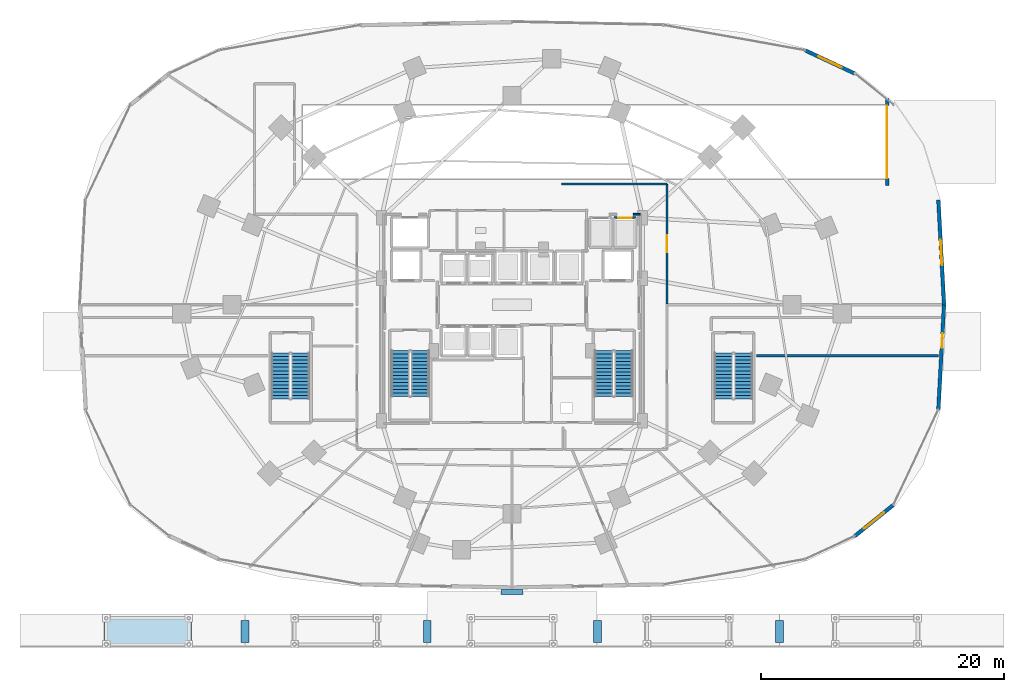
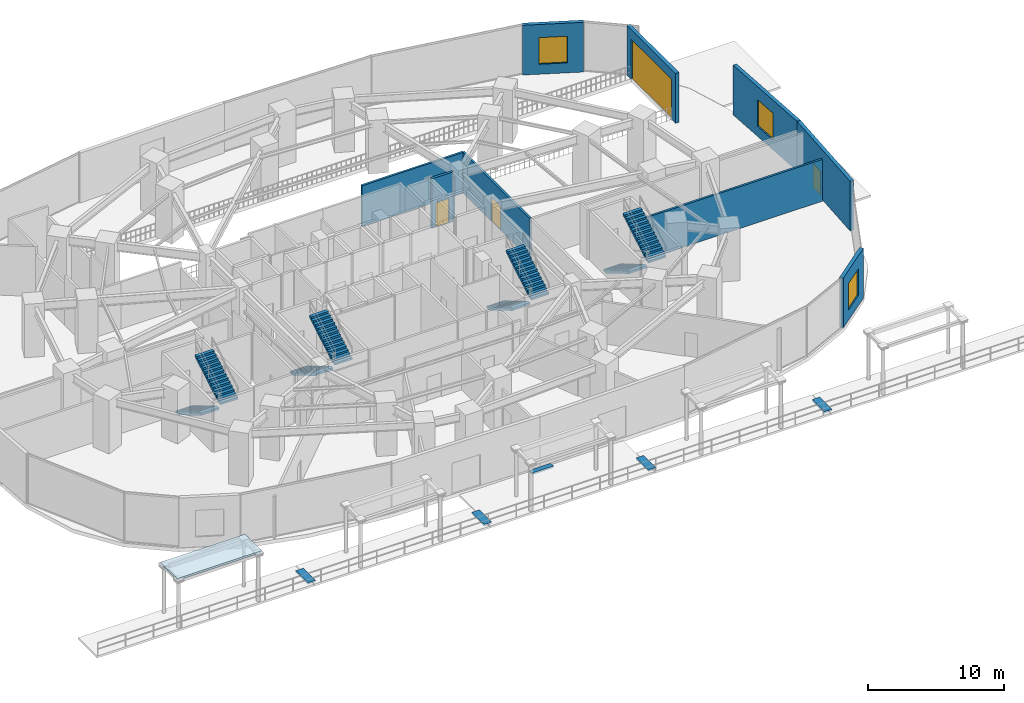
# One storey, part 30 of 36: 10 walls, 8 stair flights, 5 ramp flights, 4 doors, 3 windows, 1 roof, 7 openings, 9 elements without a shape of their own.
"""IFC4 building model written with IfcOpenShell, lengths in metres."""

from ifc_helpers import new_model, si_unit, direction, frame, frame_2d, origin, place, context, subcontext, project, spatial, polyline, rectangle, outline, extrude, material, layer, layer_set, type_object, element, fill, aggregate, save


model = new_model("IFC4")

# Units and contexts
model_context = context("Model", 3, precision=1e-05, world=origin(), true_north=direction((0.0, 1.0)))
body_context = subcontext(model_context, "Body", "Model", "MODEL_VIEW")
ifc_project = project(units=[si_unit("LENGTHUNIT", "METRE"), si_unit("AREAUNIT", "SQUARE_METRE"), si_unit("VOLUMEUNIT", "CUBIC_METRE"), si_unit("PLANEANGLEUNIT", "RADIAN"), si_unit("MASSUNIT", "GRAM", prefix="KILO")], contexts=[model_context])

# Site, building, storey
site_placement = place(None, origin())
site = spatial("IfcSite", under=ifc_project, at=site_placement, CompositionType="ELEMENT")
building_placement = place(site_placement, origin())
building = spatial("IfcBuilding", under=site, at=building_placement, Name="Vorneva Point Tower", CompositionType="ELEMENT")
storey_placement = place(building_placement, origin())
storey = spatial("IfcBuildingStorey", under=building, at=storey_placement, Name="L00", CompositionType="ELEMENT", Elevation=0.0)

# Wall, opening, door
ifc_material_1 = material(Name="Precast concrete B50 (C40/50)", Category="concrete")
ifc_layer_1 = layer(ifc_material_1, 0.300048828125)
ifc_layer_set_1 = layer_set([ifc_layer_1], Name="Precast concrete B50 (C40/50)")
wall_type_1 = type_object("IfcWallType", Name="WL-EXT-300", PredefinedType="STANDARD", material=ifc_layer_set_1)
wall_1_placement = place(storey_placement, frame((68.8798828125, 35.800048828125, 0.0), z_axis=(0.0, 0.0, 1.0), x_axis=(0.0, 1.0, 0.0)))
wall_1 = element("IfcWall", 1, at=wall_1_placement, inside=storey, type_object=wall_type_1, Name="L00 Car Park East Portal Facade Wall", PredefinedType="STANDARD", context=body_context, shape_type="SweptSolid", body=[
    extrude(rectangle(XDim=7.199951171875, YDim=0.300048828125, at=frame_2d((3.60009765625, 0.0))), origin(), (0.0, 0.0, 1.0), 4.47998046875),
])
opening_1_placement = place(wall_1_placement, frame((0.60009765625, 0.0, 0.0)))
opening_1 = element("IfcOpeningElement", 2, at=opening_1_placement, cuts=wall_1, Name="Opening VG-01", PredefinedType="OPENING", context=body_context, shape_type="SweptSolid", body=[
    extrude(rectangle(XDim=6.0, YDim=3.60009765625, at=frame_2d((3.0, 1.800048828125))), frame((0.0, 0.1650390625, 0.0), z_axis=(0.0, -1.0, 0.0), x_axis=(1.0, 0.0, 0.0)), (0.0, 0.0, 1.0), 0.329833984375),
])
ifc_material_2 = material(Name="Galvanised steel S355", Category="steel")
door_type_1 = type_object("IfcDoorType", Name="VG-01", OperationType="ROLLINGUP", PredefinedType="GATE", material=ifc_material_2)
door_1_placement = place(opening_1_placement, origin())
door_1 = element("IfcDoor", 3, at=door_1_placement, inside=storey, type_object=door_type_1, Name="Car Park Entrance Roller Shutter Gate VG-01", OperationType="ROLLINGUP", OverallHeight=3.60009765625, OverallWidth=6.0, PredefinedType="GATE", context=body_context, shape_type="SweptSolid", body=[
    extrude(rectangle(XDim=6.0, YDim=3.60009765625, at=frame_2d((3.0, 1.800048828125))), frame((0.0, 0.02490234375, 0.0), z_axis=(0.0, -1.0, 0.0), x_axis=(1.0, 0.0, 0.0)), (0.0, 0.0, 1.0), 0.050048828125),
])
fill(opening_1, door_1)

# Wall, opening, window
wall_2_placement = place(storey_placement, frame((73.565673828125, 26.0, 0.0), z_axis=(0.0, 0.0, 1.0), x_axis=(-0.054179266439, 0.998531224894, 0.0)))
wall_2 = element("IfcWall", 4, at=wall_2_placement, inside=storey, type_object=wall_type_1, Name="L00 Waterfront Facade Wall 01", PredefinedType="STANDARD", context=body_context, shape_type="SweptSolid", body=[
    extrude(rectangle(XDim=8.642822265625, YDim=0.300048828125, at=frame_2d((4.3212890625, 0.0))), origin(), (0.0, 0.0, 1.0), 4.47998046875),
])
opening_2_placement = place(wall_2_placement, frame((3.271484375, 0.0, 0.89990234375)))
opening_2 = element("IfcOpeningElement", 5, at=opening_2_placement, cuts=wall_2, Name="Opening W-05", PredefinedType="OPENING", context=body_context, shape_type="SweptSolid", body=[
    extrude(rectangle(XDim=2.10009765625, YDim=2.39990234375, at=frame_2d((1.050048828125, 1.199951171875))), frame((0.0, 0.1650390625, 0.0), z_axis=(0.0, -1.0, 0.0), x_axis=(1.0, 0.0, 0.0)), (0.0, 0.0, 1.0), 0.329833984375),
])
ifc_material_3 = material(Name="Double low-e laminated glass IGU", Category="glass")
window_type = type_object("IfcWindowType", Name="WN-POD-2100", PartitioningType="SINGLE_PANEL", PredefinedType="WINDOW", material=ifc_material_3)
window_1_placement = place(opening_2_placement, origin())
window_1 = element("IfcWindow", 6, at=window_1_placement, inside=storey, type_object=window_type, Name="L00 Waterfront Podium Window 01", OverallHeight=2.39990234375, OverallWidth=2.10009765625, PartitioningType="SINGLE_PANEL", PredefinedType="WINDOW", context=body_context, shape_type="SweptSolid", body=[
    extrude(rectangle(XDim=2.10009765625, YDim=2.39990234375, at=frame_2d((1.050048828125, 1.199951171875))), frame((0.0, 0.030029296875, 0.0), z_axis=(0.0, -1.0, 0.0), x_axis=(1.0, 0.0, 0.0)), (0.0, 0.0, 1.0), 0.06005859375),
])
fill(opening_2, window_1)

wall_3_placement = place(storey_placement, frame((66.2158203125, 45.035888671875, 0.0), z_axis=(0.0, 0.0, 1.0), x_axis=(-0.90617069541, 0.422912131275, 0.0)))
wall_3 = element("IfcWall", 7, at=wall_3_placement, inside=storey, type_object=wall_type_1, Name="L00 Waterfront Facade Wall 05", PredefinedType="STANDARD", context=body_context, shape_type="SweptSolid", body=[
    extrude(rectangle(XDim=4.510986328125, YDim=0.300048828125, at=frame_2d((2.25537109375, 0.0))), origin(), (0.0, 0.0, 1.0), 4.47998046875),
])
opening_3_placement = place(wall_3_placement, frame((1.205322265625, 0.0, 0.89990234375)))
opening_3 = element("IfcOpeningElement", 8, at=opening_3_placement, cuts=wall_3, Name="Opening W-05", PredefinedType="OPENING", context=body_context, shape_type="SweptSolid", body=[
    extrude(rectangle(XDim=2.10009765625, YDim=2.39990234375, at=frame_2d((1.050048828125, 1.199951171875))), frame((0.0, 0.1650390625, 0.0), z_axis=(0.0, -1.0, 0.0), x_axis=(1.0, 0.0, 0.0)), (0.0, 0.0, 1.0), 0.329833984375),
])
window_2_placement = place(opening_3_placement, origin())
window_2 = element("IfcWindow", 9, at=window_2_placement, inside=storey, type_object=window_type, Name="L00 Waterfront Podium Window 05", OverallHeight=2.39990234375, OverallWidth=2.10009765625, PartitioningType="SINGLE_PANEL", PredefinedType="WINDOW", context=body_context, shape_type="SweptSolid", body=[
    extrude(rectangle(XDim=2.10009765625, YDim=2.39990234375, at=frame_2d((1.050048828125, 1.199951171875))), frame((0.0, 0.030029296875, 0.0), z_axis=(0.0, -1.0, 0.0), x_axis=(1.0, 0.0, 0.0)), (0.0, 0.0, 1.0), 0.06005859375),
])
fill(opening_3, window_2)

wall_4_placement = place(storey_placement, frame((66.2158203125, 6.964111328125, 0.0), z_axis=(0.0, 0.0, 1.0), x_axis=(0.778389533764, 0.627781597155, 0.0)))
wall_4 = element("IfcWall", 10, at=wall_4_placement, inside=storey, type_object=wall_type_1, Name="L00 Waterfront Facade Wall 29", PredefinedType="STANDARD", context=body_context, shape_type="SweptSolid", body=[
    extrude(rectangle(XDim=4.093017578125, YDim=0.300048828125, at=frame_2d((2.04638671875, 0.0))), origin(), (0.0, 0.0, 1.0), 4.47998046875),
])
opening_4_placement = place(wall_4_placement, frame((0.99658203125, 0.0, 0.89990234375)))
opening_4 = element("IfcOpeningElement", 11, at=opening_4_placement, cuts=wall_4, Name="Opening W-05", PredefinedType="OPENING", context=body_context, shape_type="SweptSolid", body=[
    extrude(rectangle(XDim=2.10009765625, YDim=2.39990234375, at=frame_2d((1.050048828125, 1.199951171875))), frame((0.0, 0.1650390625, 0.0), z_axis=(0.0, -1.0, 0.0), x_axis=(1.0, 0.0, 0.0)), (0.0, 0.0, 1.0), 0.329833984375),
])
window_3_placement = place(opening_4_placement, origin())
window_3 = element("IfcWindow", 12, at=window_3_placement, inside=storey, type_object=window_type, Name="L00 Waterfront Podium Window 29", OverallHeight=2.39990234375, OverallWidth=2.10009765625, PartitioningType="SINGLE_PANEL", PredefinedType="WINDOW", context=body_context, shape_type="SweptSolid", body=[
    extrude(rectangle(XDim=2.10009765625, YDim=2.39990234375, at=frame_2d((1.050048828125, 1.199951171875))), frame((0.0, 0.030029296875, 0.0), z_axis=(0.0, -1.0, 0.0), x_axis=(1.0, 0.0, 0.0)), (0.0, 0.0, 1.0), 0.06005859375),
])
fill(opening_4, window_3)

# Wall, opening, door
wall_5_placement = place(storey_placement, frame((73.097412109375, 17.369873046875, 0.0), z_axis=(0.0, 0.0, 1.0), x_axis=(0.054179266439, 0.998531224894, 0.0)))
wall_5 = element("IfcWall", 13, at=wall_5_placement, inside=storey, type_object=wall_type_1, Name="L00 Waterfront Facade Wall 32", PredefinedType="STANDARD", context=body_context, shape_type="SweptSolid", body=[
    extrude(rectangle(XDim=8.642822265625, YDim=0.300048828125, at=frame_2d((4.3212890625, 0.0))), origin(), (0.0, 0.0, 1.0), 4.47998046875),
])
opening_5_placement = place(wall_5_placement, frame((5.088623046875, 0.0, 0.0)))
opening_5 = element("IfcOpeningElement", 14, at=opening_5_placement, cuts=wall_5, Name="Opening ED-03", PredefinedType="OPENING", context=body_context, shape_type="SweptSolid", body=[
    extrude(rectangle(XDim=1.199951171875, YDim=2.14990234375, at=frame_2d((0.60009765625, 1.074951171875))), frame((0.0, 0.1650390625, 0.0), z_axis=(0.0, -1.0, 0.0), x_axis=(1.0, 0.0, 0.0)), (0.0, 0.0, 1.0), 0.329833984375),
])
door_type_2 = type_object("IfcDoorType", Name="DR-EXT-1200", OperationType="SINGLE_SWING_LEFT", PredefinedType="DOOR", material=ifc_material_2)
door_2_placement = place(opening_5_placement, frame((1.199951171875, 0.0, 0.0), z_axis=(0.0, 0.0, 1.0), x_axis=(-1.0, 0.0, 0.0)))
door_2 = element("IfcDoor", 15, at=door_2_placement, inside=storey, type_object=door_type_2, Name="L00 Protected Stair Exit Discharge Door E", OperationType="SINGLE_SWING_LEFT", OverallHeight=2.14990234375, OverallWidth=1.199951171875, PredefinedType="DOOR", context=body_context, shape_type="SweptSolid", body=[
    extrude(rectangle(XDim=1.199951171875, YDim=2.14990234375, at=frame_2d((0.60009765625, 1.074951171875))), frame((0.0, 0.02490234375, 0.0), z_axis=(0.0, -1.0, 0.0), x_axis=(1.0, 0.0, 0.0)), (0.0, 0.0, 1.0), 0.050048828125),
])
fill(opening_5, door_2)

# Wall
ifc_material_4 = material(Name="Fire-rated acoustic gypsum stud partition", Category="gypsum")
ifc_layer_2 = layer(ifc_material_4, 0.139892578125)
ifc_layer_set_2 = layer_set([ifc_layer_2], Name="Fire-rated acoustic gypsum stud partition")
wall_type_2 = type_object("IfcWallType", Name="WL-PART-140", PredefinedType="PARTITIONING", material=ifc_layer_set_2)
wall_6_placement = place(storey_placement, frame((47.990966796875, 33.449951171875, 0.0), z_axis=(0.0, 0.0, 1.0), x_axis=(1.0, 0.0, 0.0)))
element("IfcWall", 16, at=wall_6_placement, inside=storey, type_object=wall_type_2, Name="L00 Interior Closure Partition 060", PredefinedType="PARTITIONING", context=body_context, shape_type="SweptSolid", body=[
    extrude(rectangle(XDim=0.55908203125, YDim=0.139892578125, at=frame_2d((0.279541015625, 0.0))), origin(), (0.0, 0.0, 1.0), 3.672119140625),
])

# Wall, opening, door
ifc_material_5 = material(Name="Autoclaved aerated concrete blockwork", Category="masonry")
ifc_layer_3 = layer(ifc_material_5, 0.179931640625)
ifc_layer_set_3 = layer_set([ifc_layer_3], Name="Autoclaved aerated concrete blockwork")
wall_type_3 = type_object("IfcWallType", Name="WL-PART-180", PredefinedType="PARTITIONING", material=ifc_layer_set_3)
wall_7_placement = place(storey_placement, frame((50.75, 26.06005859375, 0.0), z_axis=(0.0, 0.0, 1.0), x_axis=(0.0, 1.0, 0.0)))
wall_7 = element("IfcWall", 17, at=wall_7_placement, inside=storey, type_object=wall_type_3, Name="L00 Interior Partition 032", PredefinedType="PARTITIONING", context=body_context, shape_type="SweptSolid", body=[
    extrude(rectangle(XDim=9.889892578125, YDim=0.179931640625, at=frame_2d((4.94482421875, 0.0))), origin(), (0.0, 0.0, 1.0), 3.672119140625),
])
opening_6_placement = place(wall_7_placement, frame((4.2451171875, 0.0, 0.0)))
opening_6 = element("IfcOpeningElement", 18, at=opening_6_placement, cuts=wall_7, Name="Opening FD-03", PredefinedType="OPENING", context=body_context, shape_type="SweptSolid", body=[
    extrude(rectangle(XDim=1.39990234375, YDim=2.199951171875, at=frame_2d((0.699951171875, 1.10009765625))), frame((0.0, 0.10498046875, 0.0), z_axis=(0.0, -1.0, 0.0), x_axis=(1.0, 0.0, 0.0)), (0.0, 0.0, 1.0), 0.209716796875),
])
ifc_material_6 = material(Name="Fire-rated powder-coated steel", Category="steel")
door_type_3 = type_object("IfcDoorType", Name="DR-PLT-1400", OperationType="DOUBLE_SWING_LEFT", PredefinedType="DOOR", material=ifc_material_6)
door_3_placement = place(opening_6_placement, origin())
door_3 = element("IfcDoor", 19, at=door_3_placement, inside=storey, type_object=door_type_3, Name="L00 Door L00 Circulation Corridor / Loading Bay and Goods Receiving", OperationType="DOUBLE_SWING_LEFT", OverallHeight=2.199951171875, OverallWidth=1.39990234375, PredefinedType="DOOR", context=body_context, shape_type="SweptSolid", body=[
    extrude(rectangle(XDim=1.39990234375, YDim=2.199951171875, at=frame_2d((0.699951171875, 1.10009765625))), frame((0.0, 0.02490234375, 0.0), z_axis=(0.0, -1.0, 0.0), x_axis=(1.0, 0.0, 0.0)), (0.0, 0.0, 1.0), 0.050048828125),
])
fill(opening_6, door_3)

# Walls
wall_8_placement = place(storey_placement, frame((50.75, 35.949951171875, 0.0), z_axis=(0.0, 0.0, 1.0), x_axis=(-1.0, 0.0, 0.0)))
element("IfcWall", 20, at=wall_8_placement, inside=storey, type_object=wall_type_3, Name="L00 Interior Partition 033", PredefinedType="PARTITIONING", context=body_context, shape_type="SweptSolid", body=[
    extrude(rectangle(XDim=8.68896484375, YDim=0.179931640625, at=frame_2d((4.344482421875, 0.0))), origin(), (0.0, 0.0, 1.0), 3.672119140625),
])
wall_9_placement = place(storey_placement, frame((58.1298828125, 21.800048828125, 0.0), z_axis=(0.0, 0.0, 1.0), x_axis=(1.0, 0.0, 0.0)))
element("IfcWall", 21, at=wall_9_placement, inside=storey, type_object=wall_type_3, Name="L00 Interior Closure Partition 075", PredefinedType="PARTITIONING", context=body_context, shape_type="SweptSolid", body=[
    extrude(rectangle(XDim=14.987060546875, YDim=0.179931640625, at=frame_2d((7.49365234375, 0.0))), origin(), (0.0, 0.0, 1.0), 3.76904296875),
])

# Wall, opening, door
ifc_material_7 = material(Name="Concrete B50 (C40/50)", Category="concrete")
ifc_layer_4 = layer(ifc_material_7, 0.219970703125)
ifc_layer_set_4 = layer_set([ifc_layer_4], Name="Concrete B50 (C40/50)")
wall_type_4 = type_object("IfcWallType", Name="WL-SHFT-220", PredefinedType="SOLIDWALL", material=ifc_layer_set_4)
wall_10_placement = place(storey_placement, frame((48.199951171875, 33.159912109375, 0.0), z_axis=(0.0, 0.0, 1.0), x_axis=(-1.0, 0.0, 0.0)))
wall_10 = element("IfcWall", 22, at=wall_10_placement, inside=storey, type_object=wall_type_4, Name="L00 Lift EX2 Shaft Wall +Y", PredefinedType="SOLIDWALL", context=body_context, shape_type="SweptSolid", body=[
    extrude(rectangle(XDim=1.800048828125, YDim=0.219970703125, at=frame_2d((0.89990234375, 0.0))), origin(), (0.0, 0.0, 1.0), 4.47998046875),
])
opening_7_placement = place(wall_10_placement, frame((0.35009765625, 0.0, 0.0)))
opening_7 = element("IfcOpeningElement", 23, at=opening_7_placement, cuts=wall_10, Name="Opening LD-01", PredefinedType="OPENING", context=body_context, shape_type="SweptSolid", body=[
    extrude(rectangle(XDim=1.10009765625, YDim=2.199951171875, at=frame_2d((0.550048828125, 1.10009765625))), frame((0.0, 0.125, 0.0), z_axis=(0.0, -1.0, 0.0), x_axis=(1.0, 0.0, 0.0)), (0.0, 0.0, 1.0), 0.249755859375),
])
ifc_material_8 = material(Name="Brushed stainless steel S304", Category="steel")
door_type_4 = type_object("IfcDoorType", Name="LD-PASS-1100", OperationType="SLIDING_TO_LEFT", PredefinedType="DOOR", material=ifc_material_8)
door_4_placement = place(opening_7_placement, origin())
door_4 = element("IfcDoor", 24, at=door_4_placement, inside=storey, type_object=door_type_4, Name="L00 Lift EX2 Sliding Landing Door", OperationType="SLIDING_TO_LEFT", OverallHeight=2.199951171875, OverallWidth=1.10009765625, PredefinedType="DOOR", context=body_context, shape_type="SweptSolid", body=[
    extrude(rectangle(XDim=1.10009765625, YDim=2.199951171875, at=frame_2d((0.550048828125, 1.10009765625))), frame((0.0, 0.02490234375, 0.0), z_axis=(0.0, -1.0, 0.0), x_axis=(1.0, 0.0, 0.0)), (0.0, 0.0, 1.0), 0.050048828125),
])
fill(opening_7, door_4)

# Stair, stair flights
stair_type = type_object("IfcStairType", Name="ST-DOG-1500", PredefinedType="HALF_TURN_STAIR", material=ifc_material_7)
stair_1_placement = place(storey_placement, origin())
stair_1 = element("IfcStair", 25, at=stair_1_placement, inside=storey, type_object=stair_type, Name="L00 ST1", PredefinedType="HALF_TURN_STAIR")
stair_flight_type = type_object("IfcStairFlightType", Name="STF-1500", PredefinedType="STRAIGHT", material=ifc_material_7)
stair_flight_1_placement = place(storey_placement, frame((28.800048828125, 22.219970703125, 0.0), z_axis=(0.0, 0.0, 1.0), x_axis=(0.0, -1.0, 0.0)))
stair_flight_1 = element("IfcStairFlight", 26, at=stair_flight_1_placement, type_object=stair_flight_type, Name="ST1 flight 1", NumberOfRisers=14, NumberOfTreads=13, PredefinedType="STRAIGHT", RiserHeight=0.171428571, TreadLength=0.29, context=body_context, shape_type="SweptSolid", body=[
    extrude(outline(polyline([(0.0, 0.0), (0.0, 0.17138671875), (0.2900390625, 0.17138671875), (0.2900390625, 0.3427734375), (0.580078125, 0.3427734375), (0.580078125, 0.514404296875), (0.8701171875, 0.514404296875), (0.8701171875, 0.685791015625), (1.159912109375, 0.685791015625), (1.159912109375, 0.857177734375), (1.449951171875, 0.857177734375), (1.449951171875, 1.028564453125), (1.739990234375, 1.028564453125), (1.739990234375, 1.199951171875), (2.030029296875, 1.199951171875), (2.030029296875, 1.371337890625), (2.320068359375, 1.371337890625), (2.320068359375, 1.54296875), (2.610107421875, 1.54296875), (2.610107421875, 1.71435546875), (2.89990234375, 1.71435546875), (2.89990234375, 1.8857421875), (3.18994140625, 1.8857421875), (3.18994140625, 2.05712890625), (3.47998046875, 2.05712890625), (3.47998046875, 2.228515625), (3.77001953125, 2.228515625), (3.77001953125, 2.39990234375), (3.77001953125, 2.01953125), (0.353515625, 0.0), (0.0, 0.0)])), frame((0.0, 0.75, 0.0), z_axis=(0.0, -1.0, 0.0), x_axis=(1.0, 0.0, 0.0)), (0.0, 0.0, 1.0), 1.5),
])
stair_flight_2_placement = place(storey_placement, frame((30.449951171875, 18.449951171875, 2.39990234375), z_axis=(0.0, 0.0, 1.0), x_axis=(0.0, 1.0, 0.0)))
stair_flight_2 = element("IfcStairFlight", 27, at=stair_flight_2_placement, type_object=stair_flight_type, Name="ST1 flight 2", NumberOfRisers=14, NumberOfTreads=13, PredefinedType="STRAIGHT", RiserHeight=0.171428571, TreadLength=0.29, context=body_context, shape_type="SweptSolid", body=[
    extrude(outline(polyline([(0.0, 0.0), (0.0, 0.17138671875), (0.2900390625, 0.17138671875), (0.2900390625, 0.3427734375), (0.580078125, 0.3427734375), (0.580078125, 0.514404296875), (0.8701171875, 0.514404296875), (0.8701171875, 0.685791015625), (1.159912109375, 0.685791015625), (1.159912109375, 0.857177734375), (1.449951171875, 0.857177734375), (1.449951171875, 1.028564453125), (1.739990234375, 1.028564453125), (1.739990234375, 1.199951171875), (2.030029296875, 1.199951171875), (2.030029296875, 1.371337890625), (2.320068359375, 1.371337890625), (2.320068359375, 1.54296875), (2.610107421875, 1.54296875), (2.610107421875, 1.71435546875), (2.89990234375, 1.71435546875), (2.89990234375, 1.8857421875), (3.18994140625, 1.8857421875), (3.18994140625, 2.05712890625), (3.47998046875, 2.05712890625), (3.47998046875, 2.228515625), (3.77001953125, 2.228515625), (3.77001953125, 2.39990234375), (3.77001953125, 2.01953125), (0.353515625, 0.0), (0.0, 0.0)])), frame((0.0, 0.75, 0.0), z_axis=(0.0, -1.0, 0.0), x_axis=(1.0, 0.0, 0.0)), (0.0, 0.0, 1.0), 1.5),
])
aggregate(stair_1, [stair_flight_1, stair_flight_2])

stair_2_placement = place(storey_placement, origin())
stair_2 = element("IfcStair", 28, at=stair_2_placement, inside=storey, type_object=stair_type, Name="L00 ST2", PredefinedType="HALF_TURN_STAIR")
stair_flight_3_placement = place(storey_placement, frame((45.550048828125, 22.219970703125, 0.0), z_axis=(0.0, 0.0, 1.0), x_axis=(0.0, -1.0, 0.0)))
stair_flight_3 = element("IfcStairFlight", 29, at=stair_flight_3_placement, type_object=stair_flight_type, Name="ST2 flight 1", NumberOfRisers=14, NumberOfTreads=13, PredefinedType="STRAIGHT", RiserHeight=0.171428571, TreadLength=0.29, context=body_context, shape_type="SweptSolid", body=[
    extrude(outline(polyline([(0.0, 0.0), (0.0, 0.17138671875), (0.2900390625, 0.17138671875), (0.2900390625, 0.3427734375), (0.580078125, 0.3427734375), (0.580078125, 0.514404296875), (0.8701171875, 0.514404296875), (0.8701171875, 0.685791015625), (1.159912109375, 0.685791015625), (1.159912109375, 0.857177734375), (1.449951171875, 0.857177734375), (1.449951171875, 1.028564453125), (1.739990234375, 1.028564453125), (1.739990234375, 1.199951171875), (2.030029296875, 1.199951171875), (2.030029296875, 1.371337890625), (2.320068359375, 1.371337890625), (2.320068359375, 1.54296875), (2.610107421875, 1.54296875), (2.610107421875, 1.71435546875), (2.89990234375, 1.71435546875), (2.89990234375, 1.8857421875), (3.18994140625, 1.8857421875), (3.18994140625, 2.05712890625), (3.47998046875, 2.05712890625), (3.47998046875, 2.228515625), (3.77001953125, 2.228515625), (3.77001953125, 2.39990234375), (3.77001953125, 2.01953125), (0.353515625, 0.0), (0.0, 0.0)])), frame((0.0, 0.75, 0.0), z_axis=(0.0, -1.0, 0.0), x_axis=(1.0, 0.0, 0.0)), (0.0, 0.0, 1.0), 1.5),
])
stair_flight_4_placement = place(storey_placement, frame((47.199951171875, 18.449951171875, 2.39990234375), z_axis=(0.0, 0.0, 1.0), x_axis=(0.0, 1.0, 0.0)))
stair_flight_4 = element("IfcStairFlight", 30, at=stair_flight_4_placement, type_object=stair_flight_type, Name="ST2 flight 2", NumberOfRisers=14, NumberOfTreads=13, PredefinedType="STRAIGHT", RiserHeight=0.171428571, TreadLength=0.29, context=body_context, shape_type="SweptSolid", body=[
    extrude(outline(polyline([(0.0, 0.0), (0.0, 0.17138671875), (0.2900390625, 0.17138671875), (0.2900390625, 0.3427734375), (0.580078125, 0.3427734375), (0.580078125, 0.514404296875), (0.8701171875, 0.514404296875), (0.8701171875, 0.685791015625), (1.159912109375, 0.685791015625), (1.159912109375, 0.857177734375), (1.449951171875, 0.857177734375), (1.449951171875, 1.028564453125), (1.739990234375, 1.028564453125), (1.739990234375, 1.199951171875), (2.030029296875, 1.199951171875), (2.030029296875, 1.371337890625), (2.320068359375, 1.371337890625), (2.320068359375, 1.54296875), (2.610107421875, 1.54296875), (2.610107421875, 1.71435546875), (2.89990234375, 1.71435546875), (2.89990234375, 1.8857421875), (3.18994140625, 1.8857421875), (3.18994140625, 2.05712890625), (3.47998046875, 2.05712890625), (3.47998046875, 2.228515625), (3.77001953125, 2.228515625), (3.77001953125, 2.39990234375), (3.77001953125, 2.01953125), (0.353515625, 0.0), (0.0, 0.0)])), frame((0.0, 0.75, 0.0), z_axis=(0.0, -1.0, 0.0), x_axis=(1.0, 0.0, 0.0)), (0.0, 0.0, 1.0), 1.5),
])
aggregate(stair_2, [stair_flight_3, stair_flight_4])

stair_3_placement = place(storey_placement, origin())
stair_3 = element("IfcStair", 31, at=stair_3_placement, inside=storey, type_object=stair_type, Name="L00 ST3", PredefinedType="HALF_TURN_STAIR")
stair_flight_5_placement = place(storey_placement, frame((18.949951171875, 22.02001953125, 0.0), z_axis=(0.0, 0.0, 1.0), x_axis=(0.0, -1.0, 0.0)))
stair_flight_5 = element("IfcStairFlight", 32, at=stair_flight_5_placement, type_object=stair_flight_type, Name="ST3 flight 1", NumberOfRisers=14, NumberOfTreads=13, PredefinedType="STRAIGHT", RiserHeight=0.171428571, TreadLength=0.29, context=body_context, shape_type="SweptSolid", body=[
    extrude(outline(polyline([(0.0, 0.0), (0.0, 0.17138671875), (0.2900390625, 0.17138671875), (0.2900390625, 0.3427734375), (0.580078125, 0.3427734375), (0.580078125, 0.514404296875), (0.8701171875, 0.514404296875), (0.8701171875, 0.685791015625), (1.159912109375, 0.685791015625), (1.159912109375, 0.857177734375), (1.449951171875, 0.857177734375), (1.449951171875, 1.028564453125), (1.739990234375, 1.028564453125), (1.739990234375, 1.199951171875), (2.030029296875, 1.199951171875), (2.030029296875, 1.371337890625), (2.320068359375, 1.371337890625), (2.320068359375, 1.54296875), (2.610107421875, 1.54296875), (2.610107421875, 1.71435546875), (2.89990234375, 1.71435546875), (2.89990234375, 1.8857421875), (3.18994140625, 1.8857421875), (3.18994140625, 2.05712890625), (3.47998046875, 2.05712890625), (3.47998046875, 2.228515625), (3.77001953125, 2.228515625), (3.77001953125, 2.39990234375), (3.77001953125, 2.01953125), (0.353515625, 0.0), (0.0, 0.0)])), frame((0.0, 0.75, 0.0), z_axis=(0.0, -1.0, 0.0), x_axis=(1.0, 0.0, 0.0)), (0.0, 0.0, 1.0), 1.5),
])
stair_flight_6_placement = place(storey_placement, frame((20.60009765625, 18.25, 2.39990234375), z_axis=(0.0, 0.0, 1.0), x_axis=(0.0, 1.0, 0.0)))
stair_flight_6 = element("IfcStairFlight", 33, at=stair_flight_6_placement, type_object=stair_flight_type, Name="ST3 flight 2", NumberOfRisers=14, NumberOfTreads=13, PredefinedType="STRAIGHT", RiserHeight=0.171428571, TreadLength=0.29, context=body_context, shape_type="SweptSolid", body=[
    extrude(outline(polyline([(0.0, 0.0), (0.0, 0.17138671875), (0.2900390625, 0.17138671875), (0.2900390625, 0.3427734375), (0.580078125, 0.3427734375), (0.580078125, 0.514404296875), (0.8701171875, 0.514404296875), (0.8701171875, 0.685791015625), (1.159912109375, 0.685791015625), (1.159912109375, 0.857177734375), (1.449951171875, 0.857177734375), (1.449951171875, 1.028564453125), (1.739990234375, 1.028564453125), (1.739990234375, 1.199951171875), (2.030029296875, 1.199951171875), (2.030029296875, 1.371337890625), (2.320068359375, 1.371337890625), (2.320068359375, 1.54296875), (2.610107421875, 1.54296875), (2.610107421875, 1.71435546875), (2.89990234375, 1.71435546875), (2.89990234375, 1.8857421875), (3.18994140625, 1.8857421875), (3.18994140625, 2.05712890625), (3.47998046875, 2.05712890625), (3.47998046875, 2.228515625), (3.77001953125, 2.228515625), (3.77001953125, 2.39990234375), (3.77001953125, 2.01953125), (0.353515625, 0.0), (0.0, 0.0)])), frame((0.0, 0.75, 0.0), z_axis=(0.0, -1.0, 0.0), x_axis=(1.0, 0.0, 0.0)), (0.0, 0.0, 1.0), 1.5),
])
aggregate(stair_3, [stair_flight_5, stair_flight_6])

stair_4_placement = place(storey_placement, origin())
stair_4 = element("IfcStair", 34, at=stair_4_placement, inside=storey, type_object=stair_type, Name="L00 ST4", PredefinedType="HALF_TURN_STAIR")
stair_flight_7_placement = place(storey_placement, frame((55.39990234375, 22.02001953125, 0.0), z_axis=(0.0, 0.0, 1.0), x_axis=(0.0, -1.0, 0.0)))
stair_flight_7 = element("IfcStairFlight", 35, at=stair_flight_7_placement, type_object=stair_flight_type, Name="ST4 flight 1", NumberOfRisers=14, NumberOfTreads=13, PredefinedType="STRAIGHT", RiserHeight=0.171428571, TreadLength=0.29, context=body_context, shape_type="SweptSolid", body=[
    extrude(outline(polyline([(0.0, 0.0), (0.0, 0.17138671875), (0.2900390625, 0.17138671875), (0.2900390625, 0.3427734375), (0.580078125, 0.3427734375), (0.580078125, 0.514404296875), (0.8701171875, 0.514404296875), (0.8701171875, 0.685791015625), (1.159912109375, 0.685791015625), (1.159912109375, 0.857177734375), (1.449951171875, 0.857177734375), (1.449951171875, 1.028564453125), (1.739990234375, 1.028564453125), (1.739990234375, 1.199951171875), (2.030029296875, 1.199951171875), (2.030029296875, 1.371337890625), (2.320068359375, 1.371337890625), (2.320068359375, 1.54296875), (2.610107421875, 1.54296875), (2.610107421875, 1.71435546875), (2.89990234375, 1.71435546875), (2.89990234375, 1.8857421875), (3.18994140625, 1.8857421875), (3.18994140625, 2.05712890625), (3.47998046875, 2.05712890625), (3.47998046875, 2.228515625), (3.77001953125, 2.228515625), (3.77001953125, 2.39990234375), (3.77001953125, 2.01953125), (0.353515625, 0.0), (0.0, 0.0)])), frame((0.0, 0.75, 0.0), z_axis=(0.0, -1.0, 0.0), x_axis=(1.0, 0.0, 0.0)), (0.0, 0.0, 1.0), 1.5),
])
stair_flight_8_placement = place(storey_placement, frame((57.050048828125, 18.25, 2.39990234375), z_axis=(0.0, 0.0, 1.0), x_axis=(0.0, 1.0, 0.0)))
stair_flight_8 = element("IfcStairFlight", 36, at=stair_flight_8_placement, type_object=stair_flight_type, Name="ST4 flight 2", NumberOfRisers=14, NumberOfTreads=13, PredefinedType="STRAIGHT", RiserHeight=0.171428571, TreadLength=0.29, context=body_context, shape_type="SweptSolid", body=[
    extrude(outline(polyline([(0.0, 0.0), (0.0, 0.17138671875), (0.2900390625, 0.17138671875), (0.2900390625, 0.3427734375), (0.580078125, 0.3427734375), (0.580078125, 0.514404296875), (0.8701171875, 0.514404296875), (0.8701171875, 0.685791015625), (1.159912109375, 0.685791015625), (1.159912109375, 0.857177734375), (1.449951171875, 0.857177734375), (1.449951171875, 1.028564453125), (1.739990234375, 1.028564453125), (1.739990234375, 1.199951171875), (2.030029296875, 1.199951171875), (2.030029296875, 1.371337890625), (2.320068359375, 1.371337890625), (2.320068359375, 1.54296875), (2.610107421875, 1.54296875), (2.610107421875, 1.71435546875), (2.89990234375, 1.71435546875), (2.89990234375, 1.8857421875), (3.18994140625, 1.8857421875), (3.18994140625, 2.05712890625), (3.47998046875, 2.05712890625), (3.47998046875, 2.228515625), (3.77001953125, 2.228515625), (3.77001953125, 2.39990234375), (3.77001953125, 2.01953125), (0.353515625, 0.0), (0.0, 0.0)])), frame((0.0, 0.75, 0.0), z_axis=(0.0, -1.0, 0.0), x_axis=(1.0, 0.0, 0.0)), (0.0, 0.0, 1.0), 1.5),
])
aggregate(stair_4, [stair_flight_7, stair_flight_8])

# Ramp, ramp flight
ramp_type = type_object("IfcRampType", Name="RMP-PED-1800", PredefinedType="STRAIGHT_RUN_RAMP", material=ifc_material_7)
ramp_1_placement = place(storey_placement, origin())
ramp_1 = element("IfcRamp", 37, at=ramp_1_placement, inside=storey, type_object=ramp_type, Name="Accessible Waterfront Promenade Ramp P1", PredefinedType="STRAIGHT_RUN_RAMP")
ifc_layer_5 = layer(ifc_material_7, 0.219970703125)
ifc_layer_set_5 = layer_set([ifc_layer_5], Name="Concrete B50 (C40/50)")
ramp_flight_type = type_object("IfcRampFlightType", Name="RMPF-PED-1800", PredefinedType="STRAIGHT", material=ifc_layer_set_5)
ramp_flight_1_placement = place(storey_placement, frame((15.699951171875, -0.89990234375, 0.0), z_axis=(0.0, 0.0, 1.0), x_axis=(1.0, 0.0, 0.0)))
ramp_flight_1 = element("IfcRampFlight", 38, at=ramp_flight_1_placement, type_object=ramp_flight_type, Name="Accessible Promenade Ramp Flight P1", PredefinedType="STRAIGHT", context=body_context, shape_type="SweptSolid", body=[
    extrude(outline(polyline([(0.0, -0.159912109375), (0.650146484375, -0.159912109375), (0.650146484375, 0.0), (0.0, 0.0), (0.0, -0.159912109375)])), frame((0.0, 0.89990234375, 0.0), z_axis=(0.0, -1.0, 0.0), x_axis=(1.0, 0.0, 0.0)), (0.0, 0.0, 1.0), 1.800048828125),
])
aggregate(ramp_1, [ramp_flight_1])

ramp_2_placement = place(storey_placement, origin())
ramp_2 = element("IfcRamp", 39, at=ramp_2_placement, inside=storey, type_object=ramp_type, Name="Accessible Waterfront Promenade Ramp P2", PredefinedType="STRAIGHT_RUN_RAMP")
ramp_flight_2_placement = place(storey_placement, frame((30.699951171875, -0.89990234375, 0.0), z_axis=(0.0, 0.0, 1.0), x_axis=(1.0, 0.0, 0.0)))
ramp_flight_2 = element("IfcRampFlight", 40, at=ramp_flight_2_placement, type_object=ramp_flight_type, Name="Accessible Promenade Ramp Flight P2", PredefinedType="STRAIGHT", context=body_context, shape_type="SweptSolid", body=[
    extrude(outline(polyline([(0.0, -0.159912109375), (0.650146484375, -0.159912109375), (0.650146484375, 0.0), (0.0, 0.0), (0.0, -0.159912109375)])), frame((0.0, 0.89990234375, 0.0), z_axis=(0.0, -1.0, 0.0), x_axis=(1.0, 0.0, 0.0)), (0.0, 0.0, 1.0), 1.800048828125),
])
aggregate(ramp_2, [ramp_flight_2])

ramp_3_placement = place(storey_placement, origin())
ramp_3 = element("IfcRamp", 41, at=ramp_3_placement, inside=storey, type_object=ramp_type, Name="Accessible Waterfront Promenade Ramp P3", PredefinedType="STRAIGHT_RUN_RAMP")
ramp_flight_3_placement = place(storey_placement, frame((38.0, 2.14990234375, 0.0), z_axis=(0.0, 0.0, 1.0), x_axis=(0.0, 1.0, 0.0)))
ramp_flight_3 = element("IfcRampFlight", 42, at=ramp_flight_3_placement, type_object=ramp_flight_type, Name="Accessible Promenade Ramp Flight P3", PredefinedType="STRAIGHT", context=body_context, shape_type="SweptSolid", body=[
    extrude(outline(polyline([(0.0, -0.159912109375), (0.400146484375, -0.159912109375), (0.400146484375, 0.0), (0.0, 0.0), (0.0, -0.159912109375)])), frame((0.0, 0.89990234375, 0.0), z_axis=(0.0, -1.0, 0.0), x_axis=(1.0, 0.0, 0.0)), (0.0, 0.0, 1.0), 1.800048828125),
])
aggregate(ramp_3, [ramp_flight_3])

ramp_4_placement = place(storey_placement, origin())
ramp_4 = element("IfcRamp", 43, at=ramp_4_placement, inside=storey, type_object=ramp_type, Name="Accessible Waterfront Promenade Ramp P4", PredefinedType="STRAIGHT_RUN_RAMP")
ramp_flight_4_placement = place(storey_placement, frame((44.699951171875, -0.89990234375, 0.0), z_axis=(0.0, 0.0, 1.0), x_axis=(1.0, 0.0, 0.0)))
ramp_flight_4 = element("IfcRampFlight", 44, at=ramp_flight_4_placement, type_object=ramp_flight_type, Name="Accessible Promenade Ramp Flight P4", PredefinedType="STRAIGHT", context=body_context, shape_type="SweptSolid", body=[
    extrude(outline(polyline([(0.0, -0.159912109375), (0.650146484375, -0.159912109375), (0.650146484375, 0.0), (0.0, 0.0), (0.0, -0.159912109375)])), frame((0.0, 0.89990234375, 0.0), z_axis=(0.0, -1.0, 0.0), x_axis=(1.0, 0.0, 0.0)), (0.0, 0.0, 1.0), 1.800048828125),
])
aggregate(ramp_4, [ramp_flight_4])

ramp_5_placement = place(storey_placement, origin())
ramp_5 = element("IfcRamp", 45, at=ramp_5_placement, inside=storey, type_object=ramp_type, Name="Accessible Waterfront Promenade Ramp P5", PredefinedType="STRAIGHT_RUN_RAMP")
ramp_flight_5_placement = place(storey_placement, frame((59.699951171875, -0.89990234375, 0.0), z_axis=(0.0, 0.0, 1.0), x_axis=(1.0, 0.0, 0.0)))
ramp_flight_5 = element("IfcRampFlight", 46, at=ramp_flight_5_placement, type_object=ramp_flight_type, Name="Accessible Promenade Ramp Flight P5", PredefinedType="STRAIGHT", context=body_context, shape_type="SweptSolid", body=[
    extrude(outline(polyline([(0.0, -0.159912109375), (0.650146484375, -0.159912109375), (0.650146484375, 0.0), (0.0, 0.0), (0.0, -0.159912109375)])), frame((0.0, 0.89990234375, 0.0), z_axis=(0.0, -1.0, 0.0), x_axis=(1.0, 0.0, 0.0)), (0.0, 0.0, 1.0), 1.800048828125),
])
aggregate(ramp_5, [ramp_flight_5])

# Roof
ifc_material_9 = material(Name="Ballasted EPDM insulated roof build-up", Category="bitumen")
ifc_layer_6 = layer(ifc_material_9, 0.159912109375)
ifc_layer_set_6 = layer_set([ifc_layer_6], Name="Ballasted EPDM insulated roof build-up")
roof_type = type_object("IfcRoofType", Name="RFG-MEM-160", PredefinedType="FLAT_ROOF", material=ifc_layer_set_6)
roof_placement = place(storey_placement, frame((0.0, 0.0, 4.35009765625)))
element("IfcRoof", 47, at=roof_placement, inside=storey, type_object=roof_type, Name="Waterfront Promenade Entrance Canopy Roof 01", PredefinedType="FLAT_ROOF", context=body_context, shape_type="SweptSolid", body=[
    extrude(outline(polyline([(4.39990234375, -2.10009765625), (11.60009765625, -2.10009765625), (11.60009765625, 0.35009765625), (4.39990234375, 0.35009765625), (4.39990234375, -2.10009765625)])), origin(), (0.0, 0.0, 1.0), 0.159912109375),
])

save(model, "model.ifc")
